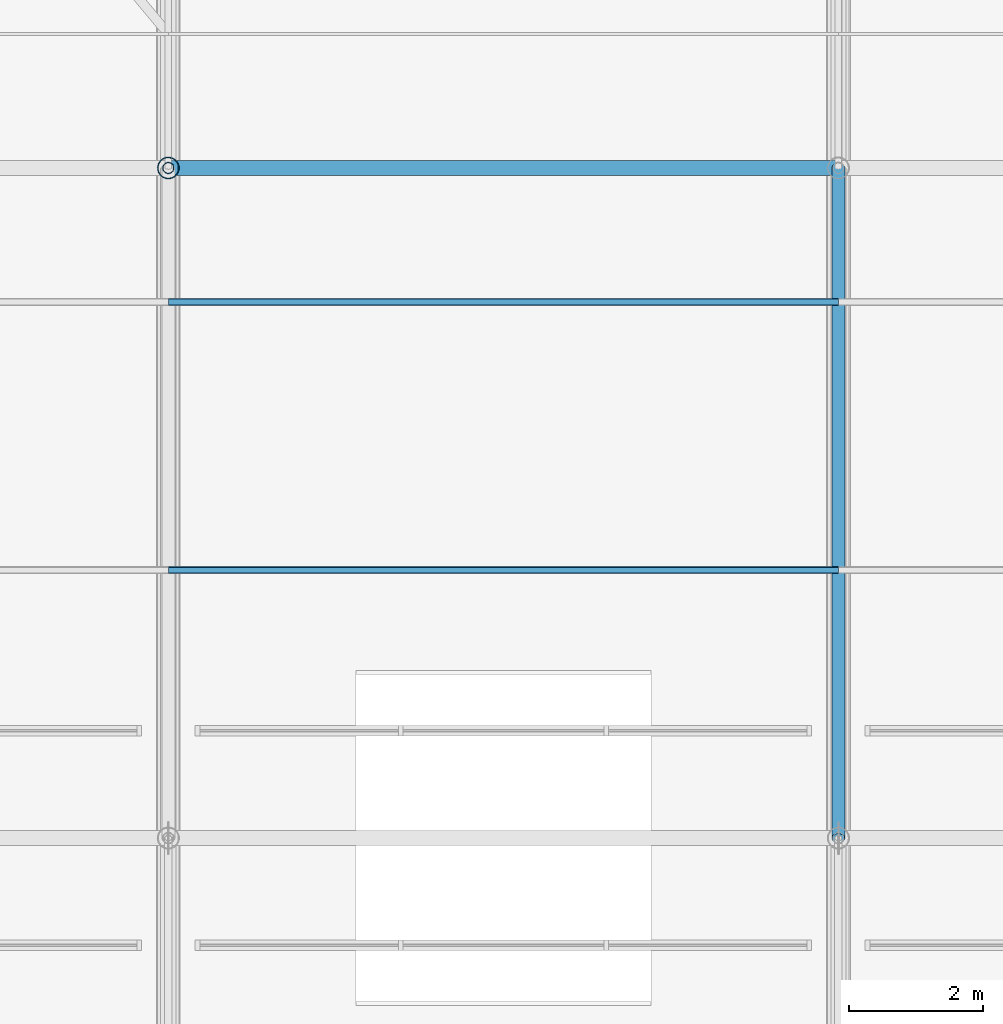
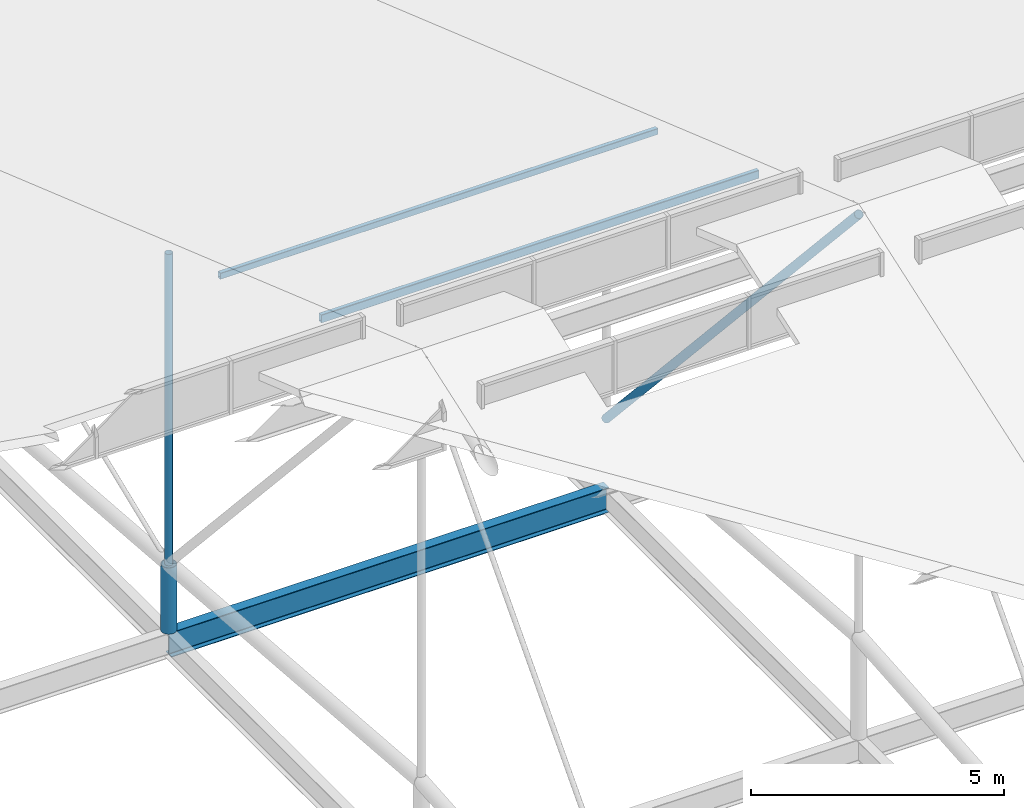
# One storey, part 31 of 93: 5 members, 1 beam.
"""IFC4 building model written with IfcOpenShell, lengths in metres."""

from ifc_helpers import new_model, si_unit, derived_unit, direction, frame, origin, origin_2d_with_axis, place, context, subcontext, project, spatial, hollow_rectangle, hollow_circle, i_section, extrude, material, material_profile, profile_set, type_object, element, save


model = new_model("IFC4")

# Units and contexts
model_context = context("Model", 3, precision=1e-05, world=origin(), true_north=direction((0.0, 1.0)))
body_context = subcontext(model_context, "Body", "Model", "MODEL_VIEW")
ifc_project = project(units=[si_unit("LENGTHUNIT", "METRE"), si_unit("AREAUNIT", "SQUARE_METRE"), si_unit("VOLUMEUNIT", "CUBIC_METRE"), si_unit("PLANEANGLEUNIT", "RADIAN"), si_unit("MASSUNIT", "GRAM", prefix="KILO"), derived_unit("THERMALTRANSMITTANCEUNIT", [(si_unit("POWERUNIT", "WATT"), 1), (si_unit("LENGTHUNIT", "METRE"), -2), (si_unit("THERMODYNAMICTEMPERATUREUNIT", "KELVIN"), -1)])], contexts=[model_context])

# Site, building, storey
site_placement = place(None, origin())
site = spatial("IfcSite", under=ifc_project, at=site_placement, CompositionType="ELEMENT")
building_placement = place(site_placement, origin())
building = spatial("IfcBuilding", under=site, at=building_placement, Name="Cinnabar Yard Market Hall", CompositionType="ELEMENT")
storey_placement = place(building_placement, frame((0.0, 0.0, 23.800048828125)))
storey = spatial("IfcBuildingStorey", under=building, at=storey_placement, Name="ROOF", CompositionType="ELEMENT", Elevation=23.800048828125)

# Beam
ifc_material_1 = material(Name="Steel Grade 300 (300 MPa)", Category="steel")
ifc_material_profile_1 = material_profile(ifc_material_1, i_section(OverallWidth=0.22802734375, OverallDepth=0.60205078125, WebThickness=0.010498046875, FlangeThickness=0.014892578125, FilletRadius=0.013916015625, at=origin_2d_with_axis()), Name="610UB101")
ifc_profile_set_1 = profile_set([ifc_material_profile_1], Name="Steel Grade 300 (300 MPa)")
beam_type = type_object("IfcBeamType", Name="BM-B02", PredefinedType="BEAM", material=ifc_profile_set_1)
beam_placement = place(storey_placement, frame((96.0, 54.0, -9.700927734375), z_axis=(1.0, 0.0, 0.0), x_axis=(0.0, 1.0, 0.0)))
element("IfcBeam", 1, at=beam_placement, inside=storey, type_object=beam_type, Name="Hall Longitudinal Tie Girder 00398", PredefinedType="BEAM", context=body_context, shape_type="SweptSolid", body=[
    extrude(i_section(OverallWidth=0.22802734375, OverallDepth=0.60205078125, WebThickness=0.010498046875, FlangeThickness=0.014892578125, FilletRadius=0.013916015625, at=origin_2d_with_axis()), origin(), (0.0, 0.0, 1.0), 10.0),
])

# Members
ifc_material_2 = material(Name="Cold-formed steel C350L0", Category="steel")
ifc_material_profile_2 = material_profile(ifc_material_2, hollow_circle(Radius=0.096923828125, WallThickness=0.00634765625, at=origin_2d_with_axis()), Name="193.7x6.4CHS")
ifc_profile_set_2 = profile_set([ifc_material_profile_2], Name="Cold-formed steel C350L0")
member_type_1 = type_object("IfcMemberType", Name="MB-DG04", PredefinedType="BRACE", material=ifc_profile_set_2)
member_1_placement = place(storey_placement, frame((106.0, 44.0, 3.199951171875), z_axis=(0.0, 0.672672793996, -0.739940073396), x_axis=(-1.0, 0.0, 0.0)))
element("IfcMember", 2, at=member_1_placement, inside=storey, type_object=member_type_1, Name="Hall Truss 106 Diagonal 4", PredefinedType="BRACE", context=body_context, shape_type="SweptSolid", body=[
    extrude(hollow_circle(Radius=0.096923828125, WallThickness=0.00634765625, at=origin_2d_with_axis()), origin(), (0.0, 0.0, 1.0), 14.865966796875),
])
ifc_material_profile_3 = material_profile(ifc_material_2, hollow_rectangle(XDim=0.10009765625, YDim=0.199951171875, WallThickness=0.008056640625, InnerFilletRadius=0.008056640625, OuterFilletRadius=0.01611328125, at=origin_2d_with_axis()), Name="200x100x8.0RHS")
ifc_profile_set_3 = profile_set([ifc_material_profile_3], Name="Cold-formed steel C350L0")
member_type_2 = type_object("IfcMemberType", Name="MB-PU08", PredefinedType="PURLIN", material=ifc_profile_set_3)
member_2_placement = place(storey_placement, frame((96.0, 48.0, 1.767578125), z_axis=(1.0, 0.0, 0.0), x_axis=(0.0, 1.0, 0.0)))
element("IfcMember", 3, at=member_2_placement, inside=storey, type_object=member_type_2, Name="Hall Roof Purlin Y48 X96", PredefinedType="PURLIN", context=body_context, shape_type="SweptSolid", body=[
    extrude(hollow_rectangle(XDim=0.10009765625, YDim=0.199951171875, WallThickness=0.008056640625, InnerFilletRadius=0.008056640625, OuterFilletRadius=0.01611328125, at=origin_2d_with_axis()), origin(), (0.0, 0.0, 1.0), 10.0),
])
ifc_material_profile_4 = material_profile(ifc_material_2, hollow_rectangle(XDim=0.10009765625, YDim=0.14990234375, WallThickness=0.006103515625, InnerFilletRadius=0.006103515625, OuterFilletRadius=0.011962890625, at=origin_2d_with_axis()), Name="150x100x6.0RHS")
ifc_profile_set_4 = profile_set([ifc_material_profile_4], Name="Cold-formed steel C350L0")
member_type_3 = type_object("IfcMemberType", Name="MB-PU09", PredefinedType="PURLIN", material=ifc_profile_set_4)
member_3_placement = place(storey_placement, frame((96.0, 52.0, 0.37548828125), z_axis=(1.0, 0.0, 0.0), x_axis=(0.0, 1.0, 0.0)))
element("IfcMember", 4, at=member_3_placement, inside=storey, type_object=member_type_3, Name="Hall Roof Purlin Y52 X96", PredefinedType="PURLIN", context=body_context, shape_type="SweptSolid", body=[
    extrude(hollow_rectangle(XDim=0.10009765625, YDim=0.14990234375, WallThickness=0.006103515625, InnerFilletRadius=0.006103515625, OuterFilletRadius=0.011962890625, at=origin_2d_with_axis()), origin(), (0.0, 0.0, 1.0), 10.0),
])
ifc_material_3 = material(Name="Spotted-gum glulam-clad steel Grade 350 (350 MPa)", Category="steel")
ifc_material_profile_5 = material_profile(ifc_material_3, hollow_circle(Radius=0.161865234375, WallThickness=0.009521484375, at=origin_2d_with_axis()), Name="323.9x9.5CHS")
ifc_profile_set_5 = profile_set([ifc_material_profile_5], Name="Spotted-gum glulam-clad steel Grade 350 (350 MPa)")
member_type_4 = type_object("IfcMemberType", Name="MB-ST01", PredefinedType="STRUT", material=ifc_profile_set_5)
member_4_placement = place(storey_placement, frame((96.0, 54.0, -9.400146484375), z_axis=(0.0, 0.0, 1.0), x_axis=(1.0, 0.0, 0.0)))
element("IfcMember", 5, at=member_4_placement, inside=storey, type_object=member_type_4, Name="Truss Bearing Post 96-54", PredefinedType="STRUT", context=body_context, shape_type="SweptSolid", body=[
    extrude(hollow_circle(Radius=0.161865234375, WallThickness=0.009521484375, at=origin_2d_with_axis()), origin(), (0.0, 0.0, 1.0), 1.60009765625),
])
ifc_material_profile_6 = material_profile(ifc_material_2, hollow_circle(Radius=0.084228515625, WallThickness=0.00634765625, at=origin_2d_with_axis()), Name="168.3x6.4CHS")
ifc_profile_set_6 = profile_set([ifc_material_profile_6], Name="Cold-formed steel C350L0")
member_type_5 = type_object("IfcMemberType", Name="MB-WB01", PredefinedType="STRUT", material=ifc_profile_set_6)
member_5_placement = place(storey_placement, frame((96.0, 54.0, -7.800048828125), z_axis=(0.0, 0.0, 1.0), x_axis=(1.0, 0.0, 0.0)))
element("IfcMember", 6, at=member_5_placement, inside=storey, type_object=member_type_5, Name="Hall Truss 96 Post 4", PredefinedType="STRUT", context=body_context, shape_type="SweptSolid", body=[
    extrude(hollow_circle(Radius=0.084228515625, WallThickness=0.00634765625, at=origin_2d_with_axis()), origin(), (0.0, 0.0, 1.0), 7.519287109375),
])

save(model, "model.ifc")
